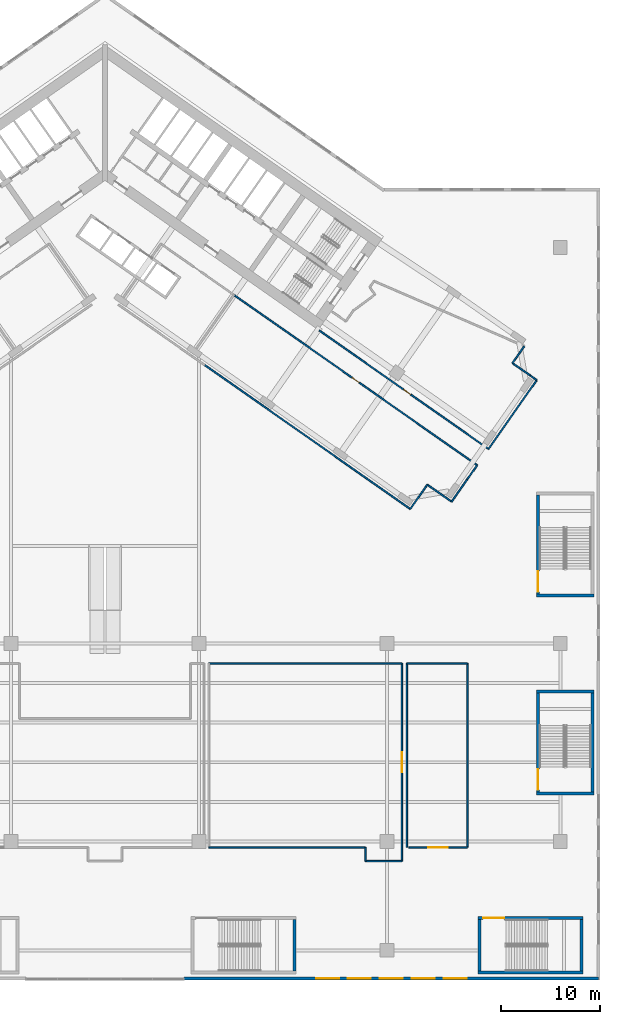
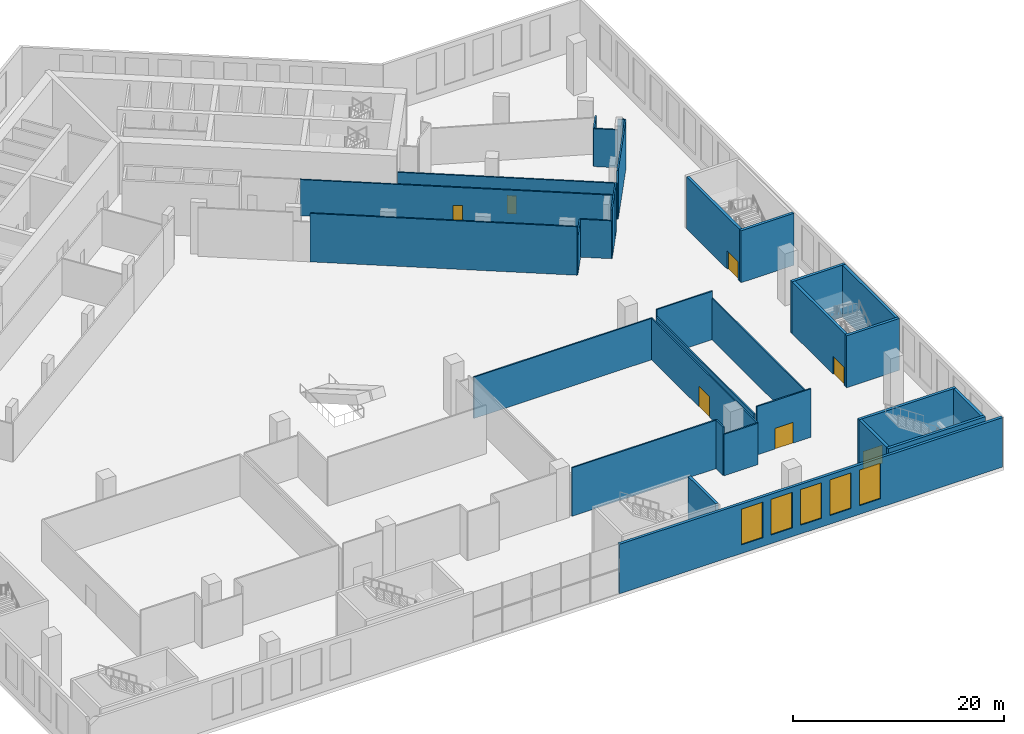
# One storey, part 8 of 25: 32 walls, 7 doors, 5 windows, 12 openings.
"""IFC4 building model written with IfcOpenShell, lengths in metres."""

from ifc_helpers import new_model, si_unit, direction, frame, frame_2d, origin, place, context, subcontext, project, spatial, rectangle, extrude, material, layer, layer_set, type_object, element, fill, save


model = new_model("IFC4")

# Units and contexts
model_context = context("Model", 3, precision=1e-05, world=origin(), true_north=direction((0.0, 1.0)))
body_context = subcontext(model_context, "Body", "Model", "MODEL_VIEW")
ifc_project = project(units=[si_unit("LENGTHUNIT", "METRE"), si_unit("AREAUNIT", "SQUARE_METRE"), si_unit("VOLUMEUNIT", "CUBIC_METRE"), si_unit("PLANEANGLEUNIT", "RADIAN"), si_unit("MASSUNIT", "GRAM", prefix="KILO")], contexts=[model_context])

# Site, building, storey
site_placement = place(None, origin())
site = spatial("IfcSite", under=ifc_project, at=site_placement, CompositionType="ELEMENT")
building_placement = place(site_placement, origin())
building = spatial("IfcBuilding", under=site, at=building_placement, Name="Tel Ilan Convention Tower", CompositionType="ELEMENT")
storey_placement = place(building_placement, frame((0.0, 0.0, 26.0)))
storey = spatial("IfcBuildingStorey", under=building, at=storey_placement, Name="L03", CompositionType="ELEMENT", Elevation=26.0)

# Wall, opening, door
ifc_material_1 = material(Name="Plasterboard on Steel Studs", Category="steel")
ifc_layer_1 = layer(ifc_material_1, 0.14990234375)
ifc_layer_set_1 = layer_set([ifc_layer_1], Name="Fire-rated Partition 150 EI 60")
wall_type_1 = type_object("IfcWallType", Name="Fire-rated Partition 150 EI 60", PredefinedType="PARTITIONING", material=ifc_layer_set_1)
wall_1_placement = place(storey_placement, frame((21.641845703125, -16.37451171875, 0.0), z_axis=(0.0, 0.0, 1.0), x_axis=(0.819148965066, -0.573580833911, 0.0)))
wall_1 = element("IfcWall", 1, at=wall_1_placement, inside=storey, type_object=wall_type_1, Name="Partition 001", PredefinedType="PARTITIONING", context=body_context, shape_type="SweptSolid", body=[
    extrude(rectangle(XDim=20.8798828125, YDim=0.14990234375, at=frame_2d((10.43994140625, 0.0))), origin(), (0.0, 0.0, 1.0), 4.179931640625),
])
opening_1_placement = place(wall_1_placement, frame((10.389892578125, 0.0, 0.0)))
opening_1 = element("IfcOpeningElement", 2, at=opening_1_placement, cuts=wall_1, Name="Opening L03-006", PredefinedType="OPENING", context=body_context, shape_type="SweptSolid", body=[
    extrude(rectangle(XDim=0.89990234375, YDim=2.10009765625, at=frame_2d((0.449951171875, 1.050048828125))), frame((0.0, 0.0849609375, 0.0), z_axis=(0.0, -1.0, 0.0), x_axis=(1.0, 0.0, 0.0)), (0.0, 0.0, 1.0), 0.169921875),
])
ifc_material_2 = material(Name="Timber Door Leaf in Steel Frame", Category="steel")
door_type_1 = type_object("IfcDoorType", Name="Riser and Service Fire Door 900x2100", OperationType="NOTDEFINED", PredefinedType="DOOR", material=ifc_material_2)
door_1_placement = place(opening_1_placement, origin())
door_1 = element("IfcDoor", 3, at=door_1_placement, inside=storey, type_object=door_type_1, Name="Door L03-006", OperationType="SINGLE_SWING_RIGHT", OverallHeight=2.10009765625, OverallWidth=0.89990234375, PredefinedType="DOOR", context=body_context, shape_type="SweptSolid", body=[
    extrude(rectangle(XDim=0.89990234375, YDim=2.10009765625, at=frame_2d((0.449951171875, 1.050048828125))), frame((0.0, 0.02490234375, 0.0), z_axis=(0.0, -1.0, 0.0), x_axis=(1.0, 0.0, 0.0)), (0.0, 0.0, 1.0), 0.050048828125),
])
fill(opening_1, door_1)

wall_2_placement = place(storey_placement, frame((37.5986328125, -29.989013671875, 0.0), z_axis=(0.0, 0.0, 1.0), x_axis=(-0.819154688631, 0.57357265982, 0.0)))
wall_2 = element("IfcWall", 4, at=wall_2_placement, inside=storey, type_object=wall_type_1, Name="Partition 003", PredefinedType="PARTITIONING", context=body_context, shape_type="SweptSolid", body=[
    extrude(rectangle(XDim=30.001953125, YDim=0.14990234375, at=frame_2d((15.0009765625, 0.0))), origin(), (0.0, 0.0, 1.0), 4.179931640625),
])
opening_2_placement = place(wall_2_placement, frame((14.551025390625, 0.0, 0.0)))
opening_2 = element("IfcOpeningElement", 5, at=opening_2_placement, cuts=wall_2, Name="Opening L03-005", PredefinedType="OPENING", context=body_context, shape_type="SweptSolid", body=[
    extrude(rectangle(XDim=0.89990234375, YDim=2.10009765625, at=frame_2d((0.449951171875, 1.050048828125))), frame((0.0, 0.0849609375, 0.0), z_axis=(0.0, -1.0, 0.0), x_axis=(1.0, 0.0, 0.0)), (0.0, 0.0, 1.0), 0.169921875),
])
ifc_material_3 = material(Name="Timber Door Leaf in Steel Frame", Category="steel")
door_type_2 = type_object("IfcDoorType", Name="Room Fire Door 900x2100", OperationType="NOTDEFINED", PredefinedType="DOOR", material=ifc_material_3)
door_2_placement = place(opening_2_placement, origin())
door_2 = element("IfcDoor", 6, at=door_2_placement, inside=storey, type_object=door_type_2, Name="Door L03-005", OperationType="SINGLE_SWING_LEFT", OverallHeight=2.10009765625, OverallWidth=0.89990234375, PredefinedType="DOOR", context=body_context, shape_type="SweptSolid", body=[
    extrude(rectangle(XDim=0.89990234375, YDim=2.10009765625, at=frame_2d((0.449951171875, 1.050048828125))), frame((0.0, 0.02490234375, 0.0), z_axis=(0.0, -1.0, 0.0), x_axis=(1.0, 0.0, 0.0)), (0.0, 0.0, 1.0), 0.050048828125),
])
fill(opening_2, door_2)

# Walls
wall_3_placement = place(storey_placement, frame((42.357421875, -17.96240234375, 0.0), z_axis=(0.0, 0.0, 1.0), x_axis=(-0.573533201177, -0.819182316183, 0.0)))
element("IfcWall", 7, at=wall_3_placement, inside=storey, type_object=wall_type_1, Name="Partition 007", PredefinedType="PARTITIONING", context=body_context, shape_type="SweptSolid", body=[
    extrude(rectangle(XDim=2.0810546875, YDim=0.14990234375, at=frame_2d((1.04052734375, 0.0))), origin(), (0.0, 0.0, 1.0), 4.3798828125),
])
wall_4_placement = place(storey_placement, frame((41.163818359375, -19.667236328125, 0.0), z_axis=(0.0, 0.0, 1.0), x_axis=(0.81912956014, -0.573608545704, 0.0)))
element("IfcWall", 8, at=wall_4_placement, inside=storey, type_object=wall_type_1, Name="Partition 008", PredefinedType="PARTITIONING", context=body_context, shape_type="SweptSolid", body=[
    extrude(rectangle(XDim=2.2412109375, YDim=0.14990234375, at=frame_2d((1.12060546875, 0.0))), origin(), (0.0, 0.0, 1.0), 4.3798828125),
])
wall_5_placement = place(storey_placement, frame((42.998046875, -20.95166015625, 0.0), z_axis=(0.0, 0.0, 1.0), x_axis=(0.819141432686, -0.573591590992, 0.0)))
element("IfcWall", 9, at=wall_5_placement, inside=storey, type_object=wall_type_1, Name="Partition 009", PredefinedType="PARTITIONING", context=body_context, shape_type="SweptSolid", body=[
    extrude(rectangle(XDim=0.760498046875, YDim=0.14990234375, at=frame_2d((0.38037109375, 0.0))), origin(), (0.0, 0.0, 1.0), 5.60009765625),
])
wall_6_placement = place(storey_placement, frame((43.62109375, -21.387939453125, 0.0), z_axis=(0.0, 0.0, 1.0), x_axis=(-0.57357799764, -0.819150951061, 0.0)))
element("IfcWall", 10, at=wall_6_placement, inside=storey, type_object=wall_type_1, Name="Partition 010", PredefinedType="PARTITIONING", context=body_context, shape_type="SweptSolid", body=[
    extrude(rectangle(XDim=8.500244140625, YDim=0.14990234375, at=frame_2d((4.25, 0.0))), origin(), (0.0, 0.0, 1.0), 5.60009765625),
])
wall_7_placement = place(storey_placement, frame((32.56005859375, -31.95458984375, 0.0), z_axis=(0.0, 0.0, 1.0), x_axis=(-0.573560650686, -0.819163097304, 0.0)))
element("IfcWall", 11, at=wall_7_placement, inside=storey, type_object=wall_type_1, Name="Partition 021", PredefinedType="PARTITIONING", context=body_context, shape_type="SweptSolid", body=[
    extrude(rectangle(XDim=3.0, YDim=0.14990234375, at=frame_2d((1.5, 0.0))), origin(), (0.0, 0.0, 1.0), 4.3798828125),
])
wall_8_placement = place(storey_placement, frame((30.83935546875, -34.412109375, 0.0), z_axis=(0.0, 0.0, 1.0), x_axis=(-0.819153188106, 0.573574802808, 0.0)))
element("IfcWall", 12, at=wall_8_placement, inside=storey, type_object=wall_type_1, Name="Partition 022", PredefinedType="PARTITIONING", context=body_context, shape_type="SweptSolid", body=[
    extrude(rectangle(XDim=25.3505859375, YDim=0.14990234375, at=frame_2d((12.67529296875, 0.0))), origin(), (0.0, 0.0, 1.0), 5.60009765625),
])
wall_9_placement = place(storey_placement, frame((36.59912109375, -31.41650390625, 0.0), z_axis=(0.0, 0.0, 1.0), x_axis=(-0.573557416232, -0.819165361991, 0.0)))
element("IfcWall", 13, at=wall_9_placement, inside=storey, type_object=wall_type_1, Name="Partition 023", PredefinedType="PARTITIONING", context=body_context, shape_type="SweptSolid", body=[
    extrude(rectangle(XDim=2.75732421875, YDim=0.14990234375, at=frame_2d((1.378662109375, 0.0))), origin(), (0.0, 0.0, 1.0), 5.60009765625),
])
wall_10_placement = place(storey_placement, frame((35.017578125, -33.67529296875, 0.0), z_axis=(0.0, 0.0, 1.0), x_axis=(-0.819163097304, 0.573560650686, 0.0)))
element("IfcWall", 14, at=wall_10_placement, inside=storey, type_object=wall_type_1, Name="Partition 024", PredefinedType="PARTITIONING", context=body_context, shape_type="SweptSolid", body=[
    extrude(rectangle(XDim=3.0, YDim=0.14990234375, at=frame_2d((1.5, 0.0))), origin(), (0.0, 0.0, 1.0), 4.3798828125),
])
wall_11_placement = place(storey_placement, frame((37.5986328125, -29.989013671875, 0.0), z_axis=(0.0, 0.0, 1.0), x_axis=(-0.573575034625, -0.819153025786, 0.0)))
element("IfcWall", 15, at=wall_11_placement, inside=storey, type_object=wall_type_1, Name="Partition 025", PredefinedType="PARTITIONING", context=body_context, shape_type="SweptSolid", body=[
    extrude(rectangle(XDim=1.74462890625, YDim=0.14990234375, at=frame_2d((0.872314453125, 0.0))), origin(), (0.0, 0.0, 1.0), 5.60009765625),
])
wall_12_placement = place(storey_placement, frame((26.301025390625, -70.0009765625, 0.0), z_axis=(0.0, 0.0, 1.0), x_axis=(1.0, 0.0, 0.0)))
element("IfcWall", 16, at=wall_12_placement, inside=storey, type_object=wall_type_1, Name="Partition 033", PredefinedType="PARTITIONING", context=body_context, shape_type="SweptSolid", body=[
    extrude(rectangle(XDim=3.698974609375, YDim=0.14990234375, at=frame_2d((1.849609375, 0.0))), origin(), (0.0, 0.0, 1.0), 4.780029296875),
])

# Wall, opening, door
wall_13_placement = place(storey_placement, frame((30.0009765625, -70.0, 0.0), z_axis=(0.0, 0.0, 1.0), x_axis=(0.0, 1.0, 0.0)))
wall_13 = element("IfcWall", 17, at=wall_13_placement, inside=storey, type_object=wall_type_1, Name="Partition 034", PredefinedType="PARTITIONING", context=body_context, shape_type="SweptSolid", body=[
    extrude(rectangle(XDim=20.0, YDim=0.14990234375, at=frame_2d((10.0, 0.0))), origin(), (0.0, 0.0, 1.0), 4.780029296875),
])
opening_3_placement = place(wall_13_placement, frame((9.0, 0.0, 0.0)))
opening_3 = element("IfcOpeningElement", 18, at=opening_3_placement, cuts=wall_13, Name="Opening L03-009", PredefinedType="OPENING", context=body_context, shape_type="SweptSolid", body=[
    extrude(rectangle(XDim=2.0, YDim=2.39990234375, at=frame_2d((1.0, 1.199951171875))), frame((0.0, 0.0849609375, 0.0), z_axis=(0.0, -1.0, 0.0), x_axis=(1.0, 0.0, 0.0)), (0.0, 0.0, 1.0), 0.169921875),
])
ifc_material_4 = material(Name="Timber Door Leaf in Steel Frame", Category="steel")
door_type_3 = type_object("IfcDoorType", Name="Assembly Hall Double Fire Door 2000x2400", OperationType="NOTDEFINED", PredefinedType="DOOR", material=ifc_material_4)
door_3_placement = place(opening_3_placement, origin())
door_3 = element("IfcDoor", 19, at=door_3_placement, inside=storey, type_object=door_type_3, Name="Door L03-009", OperationType="DOUBLE_DOOR_SINGLE_SWING", OverallHeight=2.39990234375, OverallWidth=2.0, PredefinedType="DOOR", context=body_context, shape_type="SweptSolid", body=[
    extrude(rectangle(XDim=2.0, YDim=2.39990234375, at=frame_2d((1.0, 1.199951171875))), frame((0.0, 0.02490234375, 0.0), z_axis=(0.0, -1.0, 0.0), x_axis=(1.0, 0.0, 0.0)), (0.0, 0.0, 1.0), 0.050048828125),
])
fill(opening_3, door_3)

# Walls
wall_14_placement = place(storey_placement, frame((30.0, -49.9990234375, 0.0), z_axis=(0.0, 0.0, 1.0), x_axis=(-1.0, 0.0, 0.0)))
element("IfcWall", 20, at=wall_14_placement, inside=storey, type_object=wall_type_1, Name="Partition 035", PredefinedType="PARTITIONING", context=body_context, shape_type="SweptSolid", body=[
    extrude(rectangle(XDim=19.5, YDim=0.14990234375, at=frame_2d((9.75, 0.0))), origin(), (0.0, 0.0, 1.0), 4.780029296875),
])
wall_15_placement = place(storey_placement, frame((36.59912109375, -49.9990234375, 0.0), z_axis=(0.0, 0.0, 1.0), x_axis=(-1.0, 0.0, 0.0)))
element("IfcWall", 21, at=wall_15_placement, inside=storey, type_object=wall_type_1, Name="Partition 037", PredefinedType="PARTITIONING", context=body_context, shape_type="SweptSolid", body=[
    extrude(rectangle(XDim=6.09912109375, YDim=0.14990234375, at=frame_2d((3.049560546875, 0.0))), origin(), (0.0, 0.0, 1.0), 5.60009765625),
])
wall_16_placement = place(storey_placement, frame((30.4990234375, -50.0, 0.0), z_axis=(0.0, 0.0, 1.0), x_axis=(0.0, -1.0, 0.0)))
element("IfcWall", 22, at=wall_16_placement, inside=storey, type_object=wall_type_1, Name="Partition 038", PredefinedType="PARTITIONING", context=body_context, shape_type="SweptSolid", body=[
    extrude(rectangle(XDim=18.59912109375, YDim=0.14990234375, at=frame_2d((9.299560546875, 0.0))), origin(), (0.0, 0.0, 1.0), 4.780029296875),
])
wall_17_placement = place(storey_placement, frame((10.498291015625, -68.60009765625, 0.0), z_axis=(0.0, 0.0, 1.0), x_axis=(1.0, 0.0, 0.0)))
element("IfcWall", 23, at=wall_17_placement, inside=storey, type_object=wall_type_1, Name="Partition 058", PredefinedType="PARTITIONING", context=body_context, shape_type="SweptSolid", body=[
    extrude(rectangle(XDim=15.8017578125, YDim=0.14990234375, at=frame_2d((7.90087890625, 0.0))), origin(), (0.0, 0.0, 1.0), 5.60009765625),
])
wall_18_placement = place(storey_placement, frame((26.300048828125, -68.60009765625, 0.0), z_axis=(0.0, 0.0, 1.0), x_axis=(0.0, -1.0, 0.0)))
element("IfcWall", 24, at=wall_18_placement, inside=storey, type_object=wall_type_1, Name="Partition 059", PredefinedType="PARTITIONING", context=body_context, shape_type="SweptSolid", body=[
    extrude(rectangle(XDim=1.401611328125, YDim=0.14990234375, at=frame_2d((0.70068359375, 0.0))), origin(), (0.0, 0.0, 1.0), 5.60009765625),
])

# Wall, opening, door
wall_19_placement = place(storey_placement, frame((30.699951171875, -68.60009765625, 0.0), z_axis=(0.0, 0.0, 1.0), x_axis=(1.0, 0.0, 0.0)))
wall_19 = element("IfcWall", 25, at=wall_19_placement, inside=storey, type_object=wall_type_1, Name="Partition 060", PredefinedType="PARTITIONING", context=body_context, shape_type="SweptSolid", body=[
    extrude(rectangle(XDim=5.900146484375, YDim=0.14990234375, at=frame_2d((2.9501953125, 0.0))), origin(), (0.0, 0.0, 1.0), 5.60009765625),
])
opening_4_placement = place(wall_19_placement, frame((1.949951171875, 0.0, 0.0)))
opening_4 = element("IfcOpeningElement", 26, at=opening_4_placement, cuts=wall_19, Name="Opening L03-010", PredefinedType="OPENING", context=body_context, shape_type="SweptSolid", body=[
    extrude(rectangle(XDim=2.0, YDim=2.39990234375, at=frame_2d((1.0, 1.199951171875))), frame((0.0, 0.0849609375, 0.0), z_axis=(0.0, -1.0, 0.0), x_axis=(1.0, 0.0, 0.0)), (0.0, 0.0, 1.0), 0.169921875),
])
door_4_placement = place(opening_4_placement, origin())
door_4 = element("IfcDoor", 27, at=door_4_placement, inside=storey, type_object=door_type_3, Name="Door L03-010", OperationType="DOUBLE_DOOR_SINGLE_SWING", OverallHeight=2.39990234375, OverallWidth=2.0, PredefinedType="DOOR", context=body_context, shape_type="SweptSolid", body=[
    extrude(rectangle(XDim=2.0, YDim=2.39990234375, at=frame_2d((1.0, 1.199951171875))), frame((0.0, 0.02490234375, 0.0), z_axis=(0.0, -1.0, 0.0), x_axis=(1.0, 0.0, 0.0)), (0.0, 0.0, 1.0), 0.050048828125),
])
fill(opening_4, door_4)

# Wall
wall_20_placement = place(storey_placement, frame((36.60009765625, -68.60009765625, 0.0), z_axis=(0.0, 0.0, 1.0), x_axis=(0.0, 1.0, 0.0)))
element("IfcWall", 28, at=wall_20_placement, inside=storey, type_object=wall_type_1, Name="Partition 061", PredefinedType="PARTITIONING", context=body_context, shape_type="SweptSolid", body=[
    extrude(rectangle(XDim=18.601806640625, YDim=0.14990234375, at=frame_2d((9.30078125, 0.0))), origin(), (0.0, 0.0, 1.0), 4.780029296875),
])

# Wall, openings, windows
ifc_material_5 = material(Name="Bronze aluminium cladding panel on insulated steel frame", Category="steel")
ifc_layer_2 = layer(ifc_material_5, 0.300048828125)
ifc_layer_set_2 = layer_set([ifc_layer_2], Name="PODIUM CLADDING WALL 300")
wall_type_2 = type_object("IfcWallType", Name="PODIUM CLADDING WALL 300", PredefinedType="SOLIDWALL", material=ifc_layer_set_2)
wall_21_placement = place(storey_placement, frame((8.0, -81.85009765625, 0.0), z_axis=(0.0, 0.0, 1.0), x_axis=(1.0, 0.0, 0.0)))
wall_21 = element("IfcWall", 29, at=wall_21_placement, inside=storey, type_object=wall_type_2, Name="Podium cladding wall", PredefinedType="SOLIDWALL", context=body_context, shape_type="SweptSolid", body=[
    extrude(rectangle(XDim=41.85009765625, YDim=0.300048828125, at=frame_2d((20.925048828125, 0.0))), origin(), (0.0, 0.0, 1.0), 5.719970703125),
])
opening_5_placement = place(wall_21_placement, frame((13.326904296875, 0.0, 1.0)))
opening_5 = element("IfcOpeningElement", 30, at=opening_5_placement, cuts=wall_21, Name="Opening W-06.006", PredefinedType="OPENING", context=body_context, shape_type="SweptSolid", body=[
    extrude(rectangle(XDim=2.3193359375, YDim=4.1201171875, at=frame_2d((1.15966796875, 2.06005859375))), frame((0.0, 0.159912109375, 0.0), z_axis=(0.0, -1.0, 0.0), x_axis=(1.0, 0.0, 0.0)), (0.0, 0.0, 1.0), 0.320068359375),
])
opening_6_placement = place(wall_21_placement, frame((16.546142578125, 0.0, 1.0)))
opening_6 = element("IfcOpeningElement", 31, at=opening_6_placement, cuts=wall_21, Name="Opening W-06.007", PredefinedType="OPENING", context=body_context, shape_type="SweptSolid", body=[
    extrude(rectangle(XDim=2.3193359375, YDim=4.1201171875, at=frame_2d((1.15966796875, 2.06005859375))), frame((0.0, 0.159912109375, 0.0), z_axis=(0.0, -1.0, 0.0), x_axis=(1.0, 0.0, 0.0)), (0.0, 0.0, 1.0), 0.320068359375),
])
opening_7_placement = place(wall_21_placement, frame((19.765380859375, 0.0, 1.0)))
opening_7 = element("IfcOpeningElement", 32, at=opening_7_placement, cuts=wall_21, Name="Opening W-06.008", PredefinedType="OPENING", context=body_context, shape_type="SweptSolid", body=[
    extrude(rectangle(XDim=2.3193359375, YDim=4.1201171875, at=frame_2d((1.15966796875, 2.06005859375))), frame((0.0, 0.159912109375, 0.0), z_axis=(0.0, -1.0, 0.0), x_axis=(1.0, 0.0, 0.0)), (0.0, 0.0, 1.0), 0.320068359375),
])
opening_8_placement = place(wall_21_placement, frame((22.984619140625, 0.0, 1.0)))
opening_8 = element("IfcOpeningElement", 33, at=opening_8_placement, cuts=wall_21, Name="Opening W-06.009", PredefinedType="OPENING", context=body_context, shape_type="SweptSolid", body=[
    extrude(rectangle(XDim=2.3193359375, YDim=4.1201171875, at=frame_2d((1.15966796875, 2.06005859375))), frame((0.0, 0.159912109375, 0.0), z_axis=(0.0, -1.0, 0.0), x_axis=(1.0, 0.0, 0.0)), (0.0, 0.0, 1.0), 0.320068359375),
])
opening_9_placement = place(wall_21_placement, frame((26.203857421875, 0.0, 1.0)))
opening_9 = element("IfcOpeningElement", 34, at=opening_9_placement, cuts=wall_21, Name="Opening W-06.010", PredefinedType="OPENING", context=body_context, shape_type="SweptSolid", body=[
    extrude(rectangle(XDim=2.3193359375, YDim=4.1201171875, at=frame_2d((1.15966796875, 2.06005859375))), frame((0.0, 0.159912109375, 0.0), z_axis=(0.0, -1.0, 0.0), x_axis=(1.0, 0.0, 0.0)), (0.0, 0.0, 1.0), 0.320068359375),
])
ifc_material_6 = material(Name="Aluminium framed glazing, bronze anodised, tinted glass", Category="aluminium")
window_type = type_object("IfcWindowType", Name="PODIUM WINDOW 2319x4120", PartitioningType="SINGLE_PANEL", PredefinedType="WINDOW", material=ifc_material_6)
window_1_placement = place(opening_5_placement, origin())
window_1 = element("IfcWindow", 35, at=window_1_placement, inside=storey, type_object=window_type, Name="Podium window", OverallHeight=4.1201171875, OverallWidth=2.3193359375, PartitioningType="SINGLE_PANEL", PredefinedType="WINDOW", context=body_context, shape_type="SweptSolid", body=[
    extrude(rectangle(XDim=2.3193359375, YDim=4.1201171875, at=frame_2d((1.15966796875, 2.06005859375))), frame((0.0, 0.030029296875, 0.0), z_axis=(0.0, -1.0, 0.0), x_axis=(1.0, 0.0, 0.0)), (0.0, 0.0, 1.0), 0.06005859375),
])
fill(opening_5, window_1)
window_2_placement = place(opening_6_placement, origin())
window_2 = element("IfcWindow", 36, at=window_2_placement, inside=storey, type_object=window_type, Name="Podium window", OverallHeight=4.1201171875, OverallWidth=2.3193359375, PartitioningType="SINGLE_PANEL", PredefinedType="WINDOW", context=body_context, shape_type="SweptSolid", body=[
    extrude(rectangle(XDim=2.3193359375, YDim=4.1201171875, at=frame_2d((1.15966796875, 2.06005859375))), frame((0.0, 0.030029296875, 0.0), z_axis=(0.0, -1.0, 0.0), x_axis=(1.0, 0.0, 0.0)), (0.0, 0.0, 1.0), 0.06005859375),
])
fill(opening_6, window_2)
window_3_placement = place(opening_7_placement, origin())
window_3 = element("IfcWindow", 37, at=window_3_placement, inside=storey, type_object=window_type, Name="Podium window", OverallHeight=4.1201171875, OverallWidth=2.3193359375, PartitioningType="SINGLE_PANEL", PredefinedType="WINDOW", context=body_context, shape_type="SweptSolid", body=[
    extrude(rectangle(XDim=2.3193359375, YDim=4.1201171875, at=frame_2d((1.15966796875, 2.06005859375))), frame((0.0, 0.030029296875, 0.0), z_axis=(0.0, -1.0, 0.0), x_axis=(1.0, 0.0, 0.0)), (0.0, 0.0, 1.0), 0.06005859375),
])
fill(opening_7, window_3)
window_4_placement = place(opening_8_placement, origin())
window_4 = element("IfcWindow", 38, at=window_4_placement, inside=storey, type_object=window_type, Name="Podium window", OverallHeight=4.1201171875, OverallWidth=2.3193359375, PartitioningType="SINGLE_PANEL", PredefinedType="WINDOW", context=body_context, shape_type="SweptSolid", body=[
    extrude(rectangle(XDim=2.3193359375, YDim=4.1201171875, at=frame_2d((1.15966796875, 2.06005859375))), frame((0.0, 0.030029296875, 0.0), z_axis=(0.0, -1.0, 0.0), x_axis=(1.0, 0.0, 0.0)), (0.0, 0.0, 1.0), 0.06005859375),
])
fill(opening_8, window_4)
window_5_placement = place(opening_9_placement, origin())
window_5 = element("IfcWindow", 39, at=window_5_placement, inside=storey, type_object=window_type, Name="Podium window", OverallHeight=4.1201171875, OverallWidth=2.3193359375, PartitioningType="SINGLE_PANEL", PredefinedType="WINDOW", context=body_context, shape_type="SweptSolid", body=[
    extrude(rectangle(XDim=2.3193359375, YDim=4.1201171875, at=frame_2d((1.15966796875, 2.06005859375))), frame((0.0, 0.030029296875, 0.0), z_axis=(0.0, -1.0, 0.0), x_axis=(1.0, 0.0, 0.0)), (0.0, 0.0, 1.0), 0.06005859375),
])
fill(opening_9, window_5)

# Walls
ifc_material_7 = material(Name="Concrete C40/50", Category="concrete")
ifc_layer_3 = layer(ifc_material_7, 0.300048828125)
ifc_layer_set_3 = layer_set([ifc_layer_3], Name="Stair Enclosure Wall 300 mm C40/50")
wall_type_3 = type_object("IfcWallType", Name="Stair Enclosure Wall 300 mm C40/50", PredefinedType="SOLIDWALL", material=ifc_layer_set_3)
wall_22_placement = place(storey_placement, frame((19.14990234375, -81.10009765625, 0.0), z_axis=(0.0, 0.0, 1.0), x_axis=(0.0, 1.0, 0.0)))
element("IfcWall", 40, at=wall_22_placement, inside=storey, type_object=wall_type_3, Name="P3 stair enclosure wall E L03", PredefinedType="SOLIDWALL", context=body_context, shape_type="SweptSolid", body=[
    extrude(rectangle(XDim=5.2001953125, YDim=0.300048828125, at=frame_2d((2.60009765625, 0.0))), origin(), (0.0, 0.0, 1.0), 6.0),
])
wall_23_placement = place(storey_placement, frame((37.699951171875, -81.25, 0.0), z_axis=(0.0, 0.0, 1.0), x_axis=(1.0, 0.0, 0.0)))
element("IfcWall", 41, at=wall_23_placement, inside=storey, type_object=wall_type_3, Name="P4 stair enclosure wall S L03", PredefinedType="SOLIDWALL", context=body_context, shape_type="SweptSolid", body=[
    extrude(rectangle(XDim=10.60009765625, YDim=0.300048828125, at=frame_2d((5.300048828125, 0.0))), origin(), (0.0, 0.0, 1.0), 6.0),
])

# Wall, opening, door
wall_24_placement = place(storey_placement, frame((37.699951171875, -75.75, 0.0), z_axis=(0.0, 0.0, 1.0), x_axis=(1.0, 0.0, 0.0)))
wall_24 = element("IfcWall", 42, at=wall_24_placement, inside=storey, type_object=wall_type_3, Name="P4 stair enclosure wall N L03", PredefinedType="SOLIDWALL", context=body_context, shape_type="SweptSolid", body=[
    extrude(rectangle(XDim=10.60009765625, YDim=0.300048828125, at=frame_2d((5.300048828125, 0.0))), origin(), (0.0, 0.0, 1.0), 6.0),
])
opening_10_placement = place(wall_24_placement, frame((0.512451171875, 0.0, 0.0)))
opening_10 = element("IfcOpeningElement", 43, at=opening_10_placement, cuts=wall_24, Name="Opening PD406", PredefinedType="OPENING", context=body_context, shape_type="SweptSolid", body=[
    extrude(rectangle(XDim=2.10009765625, YDim=2.10009765625, at=frame_2d((1.050048828125, 1.050048828125))), frame((0.0, 0.159912109375, 0.0), z_axis=(0.0, -1.0, 0.0), x_axis=(1.0, 0.0, 0.0)), (0.0, 0.0, 1.0), 0.320068359375),
])
ifc_material_8 = material(Name="Galvanised Steel Door Leaf", Category="steel")
door_type_4 = type_object("IfcDoorType", Name="Stair Fire Door 2100 x 2100 FD60S", OperationType="NOTDEFINED", PredefinedType="DOOR", material=ifc_material_8)
door_5_placement = place(opening_10_placement, origin())
door_5 = element("IfcDoor", 44, at=door_5_placement, inside=storey, type_object=door_type_4, Name="Stair P4 floor door", OperationType="DOUBLE_DOOR_SINGLE_SWING", OverallHeight=2.10009765625, OverallWidth=2.10009765625, PredefinedType="DOOR", context=body_context, shape_type="SweptSolid", body=[
    extrude(rectangle(XDim=2.10009765625, YDim=2.10009765625, at=frame_2d((1.050048828125, 1.050048828125))), frame((0.0, 0.02490234375, 0.0), z_axis=(0.0, -1.0, 0.0), x_axis=(1.0, 0.0, 0.0)), (0.0, 0.0, 1.0), 0.050048828125),
])
fill(opening_10, door_5)

# Walls
for number, where, z_axis, x_axis, name in (
    (45, (37.85009765625, -81.10009765625, 0.0), (0.0, 0.0, 1.0), (0.0, 1.0, 0.0), "P4 stair enclosure wall W L03"),
    (46, (48.14990234375, -81.10009765625, 0.0), (0.0, 0.0, 1.0), (0.0, 1.0, 0.0), "P4 stair enclosure wall E L03"),
):
    element("IfcWall", number, at=place(storey_placement, frame(where, z_axis=z_axis, x_axis=x_axis)), inside=storey, type_object=wall_type_3, Name=name, PredefinedType="SOLIDWALL", context=body_context, shape_type="SweptSolid", body=[
        extrude(rectangle(XDim=5.2001953125, YDim=0.300048828125, at=frame_2d((2.60009765625, 0.0))), origin(), (0.0, 0.0, 1.0), 6.0),
    ])
for number, where, z_axis, x_axis, name in (
    (47, (43.60009765625, -63.14990234375, 0.0), (0.0, 0.0, 1.0), (1.0, 0.0, 0.0), "P6 stair enclosure wall S L03"),
    (48, (43.60009765625, -52.85009765625, 0.0), (0.0, 0.0, 1.0), (1.0, 0.0, 0.0), "P6 stair enclosure wall N L03"),
):
    element("IfcWall", number, at=place(storey_placement, frame(where, z_axis=z_axis, x_axis=x_axis)), inside=storey, type_object=wall_type_3, Name=name, PredefinedType="SOLIDWALL", context=body_context, shape_type="SweptSolid", body=[
        extrude(rectangle(XDim=5.7998046875, YDim=0.300048828125, at=frame_2d((2.89990234375, 0.0))), origin(), (0.0, 0.0, 1.0), 6.0),
    ])

# Wall, opening, door
wall_25_placement = place(storey_placement, frame((43.75, -63.0, 0.0), z_axis=(0.0, 0.0, 1.0), x_axis=(0.0, 1.0, 0.0)))
wall_25 = element("IfcWall", 49, at=wall_25_placement, inside=storey, type_object=wall_type_3, Name="P6 stair enclosure wall W L03", PredefinedType="SOLIDWALL", context=body_context, shape_type="SweptSolid", body=[
    extrude(rectangle(XDim=10.0, YDim=0.300048828125, at=frame_2d((5.0, 0.0))), origin(), (0.0, 0.0, 1.0), 6.0),
])
opening_11_placement = place(wall_25_placement, frame((0.21240234375, 0.0, 0.0)))
opening_11 = element("IfcOpeningElement", 50, at=opening_11_placement, cuts=wall_25, Name="Opening PD606", PredefinedType="OPENING", context=body_context, shape_type="SweptSolid", body=[
    extrude(rectangle(XDim=2.10009765625, YDim=2.10009765625, at=frame_2d((1.050048828125, 1.050048828125))), frame((0.0, 0.159912109375, 0.0), z_axis=(0.0, -1.0, 0.0), x_axis=(1.0, 0.0, 0.0)), (0.0, 0.0, 1.0), 0.320068359375),
])
door_6_placement = place(opening_11_placement, origin())
door_6 = element("IfcDoor", 51, at=door_6_placement, inside=storey, type_object=door_type_4, Name="Stair P6 floor door", OperationType="DOUBLE_DOOR_SINGLE_SWING", OverallHeight=2.10009765625, OverallWidth=2.10009765625, PredefinedType="DOOR", context=body_context, shape_type="SweptSolid", body=[
    extrude(rectangle(XDim=2.10009765625, YDim=2.10009765625, at=frame_2d((1.050048828125, 1.050048828125))), frame((0.0, 0.02490234375, 0.0), z_axis=(0.0, -1.0, 0.0), x_axis=(1.0, 0.0, 0.0)), (0.0, 0.0, 1.0), 0.050048828125),
])
fill(opening_11, door_6)

# Walls
wall_26_placement = place(storey_placement, frame((49.25, -63.0, 0.0), z_axis=(0.0, 0.0, 1.0), x_axis=(0.0, 1.0, 0.0)))
element("IfcWall", 52, at=wall_26_placement, inside=storey, type_object=wall_type_3, Name="P6 stair enclosure wall E L03", PredefinedType="SOLIDWALL", context=body_context, shape_type="SweptSolid", body=[
    extrude(rectangle(XDim=10.0, YDim=0.300048828125, at=frame_2d((5.0, 0.0))), origin(), (0.0, 0.0, 1.0), 6.0),
])
wall_27_placement = place(storey_placement, frame((43.60009765625, -43.14990234375, 0.0), z_axis=(0.0, 0.0, 1.0), x_axis=(1.0, 0.0, 0.0)))
element("IfcWall", 53, at=wall_27_placement, inside=storey, type_object=wall_type_3, Name="P8 stair enclosure wall S L03", PredefinedType="SOLIDWALL", context=body_context, shape_type="SweptSolid", body=[
    extrude(rectangle(XDim=5.7998046875, YDim=0.300048828125, at=frame_2d((2.89990234375, 0.0))), origin(), (0.0, 0.0, 1.0), 6.0),
])

# Wall, opening, door
wall_28_placement = place(storey_placement, frame((43.75, -43.0, 0.0), z_axis=(0.0, 0.0, 1.0), x_axis=(0.0, 1.0, 0.0)))
wall_28 = element("IfcWall", 54, at=wall_28_placement, inside=storey, type_object=wall_type_3, Name="P8 stair enclosure wall W L03", PredefinedType="SOLIDWALL", context=body_context, shape_type="SweptSolid", body=[
    extrude(rectangle(XDim=10.0, YDim=0.300048828125, at=frame_2d((5.0, 0.0))), origin(), (0.0, 0.0, 1.0), 6.0),
])
opening_12_placement = place(wall_28_placement, frame((0.21240234375, 0.0, 0.0)))
opening_12 = element("IfcOpeningElement", 55, at=opening_12_placement, cuts=wall_28, Name="Opening PD806", PredefinedType="OPENING", context=body_context, shape_type="SweptSolid", body=[
    extrude(rectangle(XDim=2.10009765625, YDim=2.10009765625, at=frame_2d((1.050048828125, 1.050048828125))), frame((0.0, 0.159912109375, 0.0), z_axis=(0.0, -1.0, 0.0), x_axis=(1.0, 0.0, 0.0)), (0.0, 0.0, 1.0), 0.320068359375),
])
door_7_placement = place(opening_12_placement, origin())
door_7 = element("IfcDoor", 56, at=door_7_placement, inside=storey, type_object=door_type_4, Name="Stair P8 floor door", OperationType="DOUBLE_DOOR_SINGLE_SWING", OverallHeight=2.10009765625, OverallWidth=2.10009765625, PredefinedType="DOOR", context=body_context, shape_type="SweptSolid", body=[
    extrude(rectangle(XDim=2.10009765625, YDim=2.10009765625, at=frame_2d((1.050048828125, 1.050048828125))), frame((0.0, 0.02490234375, 0.0), z_axis=(0.0, -1.0, 0.0), x_axis=(1.0, 0.0, 0.0)), (0.0, 0.0, 1.0), 0.050048828125),
])
fill(opening_12, door_7)

save(model, "model.ifc")
